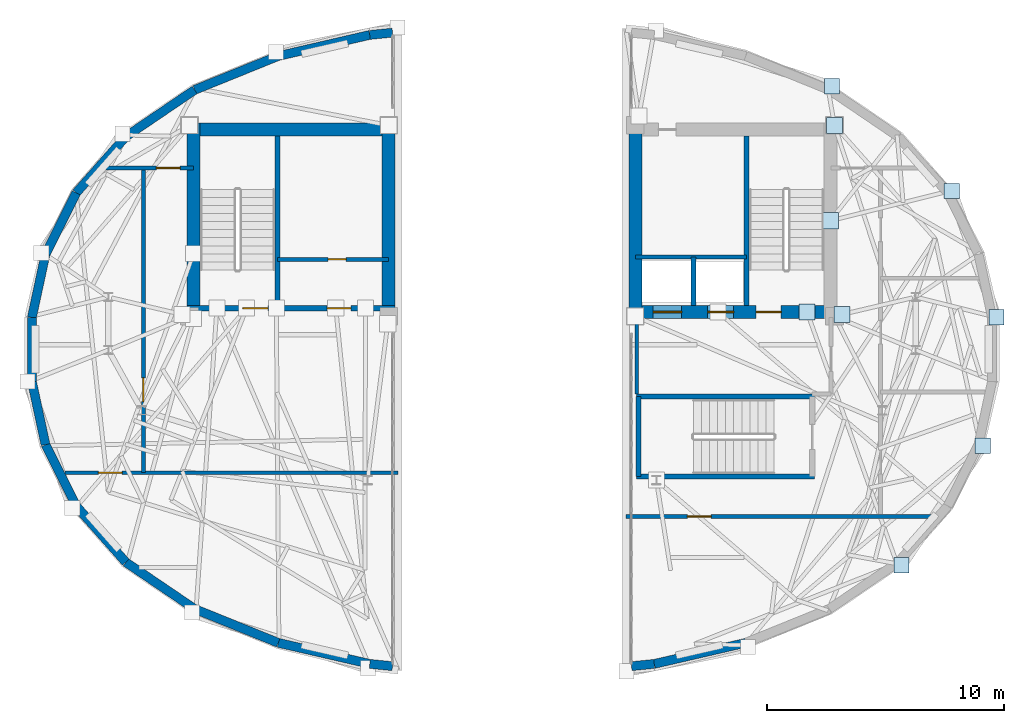
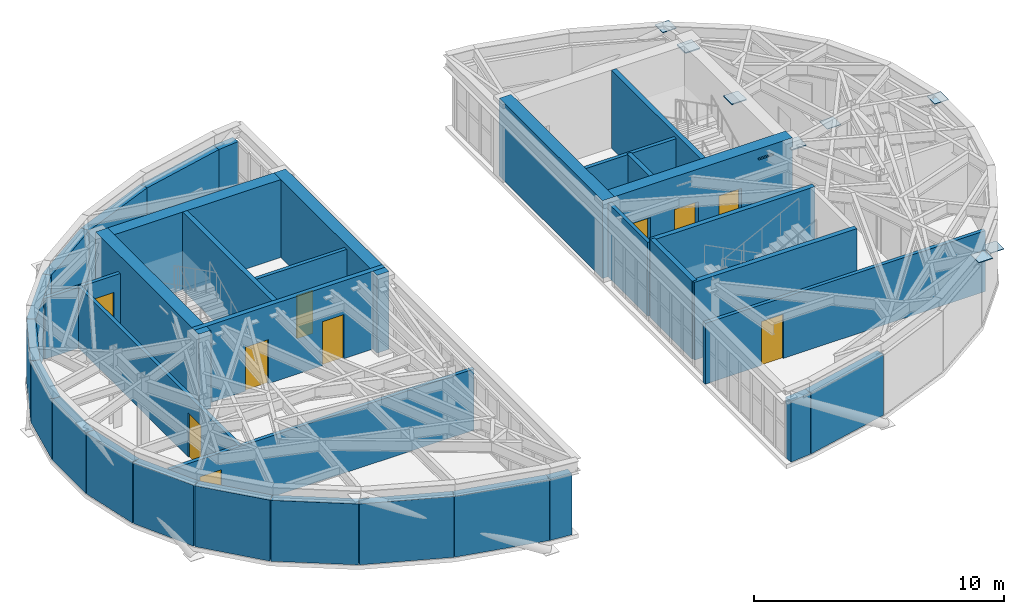
# One storey, part 9 of 13: 36 walls, 10 doors, 9 plates, 10 openings.
"""IFC4 building model written with IfcOpenShell, lengths in metres."""

from ifc_helpers import new_model, si_unit, direction, frame, frame_2d, origin, origin_2d, place, context, subcontext, project, spatial, rectangle, extrude, material, layer, layer_set, type_object, element, fill, save


model = new_model("IFC4")

# Units and contexts
model_context = context("Model", 3, precision=1e-05, world=origin(), true_north=direction((0.0, 1.0)))
body_context = subcontext(model_context, "Body", "Model", "MODEL_VIEW")
ifc_project = project(units=[si_unit("LENGTHUNIT", "METRE"), si_unit("AREAUNIT", "SQUARE_METRE"), si_unit("VOLUMEUNIT", "CUBIC_METRE"), si_unit("PLANEANGLEUNIT", "RADIAN"), si_unit("MASSUNIT", "GRAM", prefix="KILO")], contexts=[model_context])

# Site, building, storey
site_placement = place(None, origin())
site = spatial("IfcSite", under=ifc_project, at=site_placement, CompositionType="ELEMENT")
building_placement = place(site_placement, origin())
building = spatial("IfcBuilding", under=site, at=building_placement, Name="Keldmark Tower", CompositionType="ELEMENT")
storey_placement = place(building_placement, frame((0.0, 0.0, 276.800048828125)))
storey = spatial("IfcBuildingStorey", under=building, at=storey_placement, Name="L78", CompositionType="ELEMENT", Elevation=276.800048828125)

# Plates
ifc_material_1 = material(Name="Steel ASTM A572 Grade 50", Category="steel")
ifc_layer_1 = layer(ifc_material_1, 0.06005859375)
ifc_layer_set_1 = layer_set([ifc_layer_1], Name="Steel ASTM A572 Grade 50")
plate_type_1 = type_object("IfcPlateType", Name="Belt Truss Kink Node Assembly KN01 60 mm", PredefinedType="USERDEFINED", material=ifc_layer_set_1)
for number, where, z_axis, x_axis, name in (
    (1, (13.91162109375, 1.473388671875, 3.30810546875), (0.0, 0.0, 1.0), (1.0, 0.0, 0.0), "L78 Core Wall Cast-In Embed Plate 2217"),
    (2, (13.60009765625, 9.449951171875, 3.30810546875), (0.0, 0.0, 1.0), (1.0, 0.0, 0.0), "L78 Core Wall Cast-In Embed Plate 2221"),
    (3, (12.4462890625, 1.574951171875, 3.30810546875), (0.0, 0.0, 1.0), (1.0, 0.0, 0.0), "L78 Core Wall Cast-In Embed Plate 2223"),
    (4, (13.425048828125, 5.425048828125, 3.30810546875), (0.0, 0.0, 1.0), (1.0, 0.0, 0.0), "L78 Core Wall Cast-In Embed Plate 2224"),
):
    element("IfcPlate", number, at=place(storey_placement, frame(where, z_axis=z_axis, x_axis=x_axis)), inside=storey, type_object=plate_type_1, Name=name, ObjectType="CAP PLATE", PredefinedType="USERDEFINED", context=body_context, shape_type="SweptSolid", body=[
        extrude(rectangle(XDim=0.679931640625, YDim=0.679931640625, at=origin_2d()), origin(), (0.0, 0.0, 1.0), 0.054931640625),
    ])
ifc_material_2 = material(Name="Steel ASTM A572 Grade 50", Category="steel")
ifc_layer_2 = layer(ifc_material_2, 0.030029296875)
ifc_layer_set_2 = layer_set([ifc_layer_2], Name="Steel ASTM A572 Grade 50")
plate_type_2 = type_object("IfcPlateType", Name="Crown Frame End Cap Plate CP01 30 mm", PredefinedType="SHEET", material=ifc_layer_set_2)
for number, where, z_axis, x_axis, name in (
    (5, (13.5, 11.097900390625, 3.3349609375), (0.0, 0.0, 1.0), (1.0, 0.0, 0.0), "L78 Crown Frame Node Cap E00-1"),
    (6, (18.544921875, 6.688232421875, -0.46484375), (0.0, 0.0, 1.0), (1.0, 0.0, 0.0), "L78 Crown Frame Node Cap E04-0"),
    (7, (20.43017578125, 1.35693359375, 3.3349609375), (0.0, 0.0, 1.0), (1.0, 0.0, 0.0), "L78 Crown Frame Node Cap E04-1"),
    (8, (19.853271484375, -4.0625, -0.46484375), (0.0, 0.0, 1.0), (1.0, 0.0, 0.0), "L78 Crown Frame Node Cap E08-0"),
    (9, (16.431396484375, -9.099365234375, 3.3349609375), (0.0, 0.0, 1.0), (1.0, 0.0, 0.0), "L78 Crown Frame Node Cap E08-1"),
):
    element("IfcPlate", number, at=place(storey_placement, frame(where, z_axis=z_axis, x_axis=x_axis)), inside=storey, type_object=plate_type_2, Name=name, PredefinedType="SHEET", context=body_context, shape_type="SweptSolid", body=[
        extrude(rectangle(XDim=0.639892578125, YDim=0.639892578125, at=origin_2d()), origin(), (0.0, 0.0, 1.0), 0.030029296875),
    ])

# Walls
ifc_material_3 = material(Name="Kasota Buff Limestone Ashlar Masonry", Category="masonry")
ifc_layer_3 = layer(ifc_material_3, 0.3798828125)
ifc_layer_set_3 = layer_set([ifc_layer_3], Name="Kasota Buff Limestone Ashlar Masonry")
wall_type_1 = type_object("IfcWallType", Name="Crown Kasota Limestone Screen Wall 380 mm", PredefinedType="ELEMENTEDWALL", material=ifc_layer_set_3)
wall_1_placement = place(storey_placement, frame((5.998779296875, -13.263916015625, 0.0), z_axis=(0.0, 0.0, 1.0), x_axis=(0.974441030185, 0.224643447918, 0.0)))
element("IfcWall", 10, at=wall_1_placement, inside=storey, type_object=wall_type_1, Name="L78 Crown Limestone Enclosure Wall E13", PredefinedType="ELEMENTEDWALL", context=body_context, shape_type="SweptSolid", body=[
    extrude(rectangle(XDim=3.96142578125, YDim=0.3798828125, at=frame_2d((1.980712890625, 0.0))), origin(), (0.0, 0.0, 1.0), 2.969970703125),
])
wall_2_placement = place(storey_placement, frame((5.0400390625, -13.358642578125, 0.0), z_axis=(0.0, 0.0, 1.0), x_axis=(0.995154416473, 0.098324398674, 0.0)))
element("IfcWall", 11, at=wall_2_placement, inside=storey, type_object=wall_type_1, Name="L78 Crown Limestone Enclosure Wall E14", PredefinedType="ELEMENTEDWALL", context=body_context, shape_type="SweptSolid", body=[
    extrude(rectangle(XDim=0.96337890625, YDim=0.3798828125, at=frame_2d((0.481689453125, 0.0))), origin(), (0.0, 0.0, 1.0), 2.969970703125),
])
wall_3_placement = place(storey_placement, frame((-9.85888671875, -12.3740234375, 0.0), z_axis=(0.0, 0.0, 1.0), x_axis=(0.974441030185, -0.224643447918, 0.0)))
element("IfcWall", 12, at=wall_3_placement, inside=storey, type_object=wall_type_1, Name="L78 Crown Limestone Enclosure Wall W01", PredefinedType="ELEMENTEDWALL", context=body_context, shape_type="SweptSolid", body=[
    extrude(rectangle(XDim=3.96142578125, YDim=0.3798828125, at=frame_2d((1.980712890625, 0.0))), origin(), (0.0, 0.0, 1.0), 2.969970703125),
])
wall_4_placement = place(storey_placement, frame((-13.38525390625, -10.94482421875, 0.0), z_axis=(0.0, 0.0, 1.0), x_axis=(0.926776699004, -0.375612766268, 0.0)))
element("IfcWall", 13, at=wall_4_placement, inside=storey, type_object=wall_type_1, Name="L78 Crown Limestone Enclosure Wall W02", PredefinedType="ELEMENTEDWALL", context=body_context, shape_type="SweptSolid", body=[
    extrude(rectangle(XDim=3.804931640625, YDim=0.3798828125, at=frame_2d((1.90234375, 0.0))), origin(), (0.0, 0.0, 1.0), 2.969970703125),
])
wall_5_placement = place(storey_placement, frame((-16.28857421875, -8.975341796875, 0.0), z_axis=(0.0, 0.0, 1.0), x_axis=(0.827558908117, -0.561378885955, 0.0)))
element("IfcWall", 14, at=wall_5_placement, inside=storey, type_object=wall_type_1, Name="L78 Crown Limestone Enclosure Wall W03", PredefinedType="ELEMENTEDWALL", context=body_context, shape_type="SweptSolid", body=[
    extrude(rectangle(XDim=3.50830078125, YDim=0.3798828125, at=frame_2d((1.754150390625, 0.0))), origin(), (0.0, 0.0, 1.0), 2.969970703125),
])
wall_6_placement = place(storey_placement, frame((-18.37939453125, -6.6015625, 0.0), z_axis=(0.0, 0.0, 1.0), x_axis=(0.660965358004, -0.750416414745, 0.0)))
element("IfcWall", 15, at=wall_6_placement, inside=storey, type_object=wall_type_1, Name="L78 Crown Limestone Enclosure Wall W04", PredefinedType="ELEMENTEDWALL", context=body_context, shape_type="SweptSolid", body=[
    extrude(rectangle(XDim=3.163330078125, YDim=0.3798828125, at=frame_2d((1.58154296875, 0.0))), origin(), (0.0, 0.0, 1.0), 2.969970703125),
])
wall_7_placement = place(storey_placement, frame((-19.675048828125, -4.015380859375, 0.0), z_axis=(0.0, 0.0, 1.0), x_axis=(0.447922433418, -0.894072420803, 0.0)))
element("IfcWall", 16, at=wall_7_placement, inside=storey, type_object=wall_type_1, Name="L78 Crown Limestone Enclosure Wall W05", PredefinedType="ELEMENTEDWALL", context=body_context, shape_type="SweptSolid", body=[
    extrude(rectangle(XDim=2.892578125, YDim=0.3798828125, at=frame_2d((1.4462890625, 0.0))), origin(), (0.0, 0.0, 1.0), 2.969970703125),
])
wall_8_placement = place(storey_placement, frame((-20.2490234375, -1.343505859375, 0.0), z_axis=(0.0, 0.0, 1.0), x_axis=(0.210029343878, -0.977695082687, 0.0)))
element("IfcWall", 17, at=wall_8_placement, inside=storey, type_object=wall_type_1, Name="L78 Crown Limestone Enclosure Wall W06", PredefinedType="ELEMENTEDWALL", context=body_context, shape_type="SweptSolid", body=[
    extrude(rectangle(XDim=2.73291015625, YDim=0.3798828125, at=frame_2d((1.366455078125, 0.0))), origin(), (0.0, 0.0, 1.0), 2.969970703125),
])
wall_9_placement = place(storey_placement, frame((-20.2490234375, 1.343505859375, 0.0), z_axis=(0.0, 0.0, 1.0), x_axis=(0.0, -1.0, 0.0)))
element("IfcWall", 18, at=wall_9_placement, inside=storey, type_object=wall_type_1, Name="L78 Crown Limestone Enclosure Wall W07", PredefinedType="ELEMENTEDWALL", context=body_context, shape_type="SweptSolid", body=[
    extrude(rectangle(XDim=2.68701171875, YDim=0.3798828125, at=frame_2d((1.343505859375, 0.0))), origin(), (0.0, 0.0, 1.0), 2.969970703125),
])
wall_10_placement = place(storey_placement, frame((-19.675048828125, 4.015380859375, 0.0), z_axis=(0.0, 0.0, 1.0), x_axis=(-0.210029343878, -0.977695082687, 0.0)))
element("IfcWall", 19, at=wall_10_placement, inside=storey, type_object=wall_type_1, Name="L78 Crown Limestone Enclosure Wall W08", PredefinedType="ELEMENTEDWALL", context=body_context, shape_type="SweptSolid", body=[
    extrude(rectangle(XDim=2.73291015625, YDim=0.3798828125, at=frame_2d((1.366455078125, 0.0))), origin(), (0.0, 0.0, 1.0), 2.969970703125),
])
wall_11_placement = place(storey_placement, frame((-18.37939453125, 6.6015625, 0.0), z_axis=(0.0, 0.0, 1.0), x_axis=(-0.447922433418, -0.894072420803, 0.0)))
element("IfcWall", 20, at=wall_11_placement, inside=storey, type_object=wall_type_1, Name="L78 Crown Limestone Enclosure Wall W09", PredefinedType="ELEMENTEDWALL", context=body_context, shape_type="SweptSolid", body=[
    extrude(rectangle(XDim=2.892578125, YDim=0.3798828125, at=frame_2d((1.4462890625, 0.0))), origin(), (0.0, 0.0, 1.0), 2.969970703125),
])
wall_12_placement = place(storey_placement, frame((-16.28857421875, 8.975341796875, 0.0), z_axis=(0.0, 0.0, 1.0), x_axis=(-0.660965358004, -0.750416414745, 0.0)))
element("IfcWall", 21, at=wall_12_placement, inside=storey, type_object=wall_type_1, Name="L78 Crown Limestone Enclosure Wall W10", PredefinedType="ELEMENTEDWALL", context=body_context, shape_type="SweptSolid", body=[
    extrude(rectangle(XDim=3.163330078125, YDim=0.3798828125, at=frame_2d((1.58154296875, 0.0))), origin(), (0.0, 0.0, 1.0), 2.969970703125),
])
wall_13_placement = place(storey_placement, frame((-13.38525390625, 10.94482421875, 0.0), z_axis=(0.0, 0.0, 1.0), x_axis=(-0.827558908117, -0.561378885955, 0.0)))
element("IfcWall", 22, at=wall_13_placement, inside=storey, type_object=wall_type_1, Name="L78 Crown Limestone Enclosure Wall W11", PredefinedType="ELEMENTEDWALL", context=body_context, shape_type="SweptSolid", body=[
    extrude(rectangle(XDim=3.50830078125, YDim=0.3798828125, at=frame_2d((1.754150390625, 0.0))), origin(), (0.0, 0.0, 1.0), 2.969970703125),
])
wall_14_placement = place(storey_placement, frame((-9.85888671875, 12.3740234375, 0.0), z_axis=(0.0, 0.0, 1.0), x_axis=(-0.926776699004, -0.375612766268, 0.0)))
element("IfcWall", 23, at=wall_14_placement, inside=storey, type_object=wall_type_1, Name="L78 Crown Limestone Enclosure Wall W12", PredefinedType="ELEMENTEDWALL", context=body_context, shape_type="SweptSolid", body=[
    extrude(rectangle(XDim=3.804931640625, YDim=0.3798828125, at=frame_2d((1.90234375, 0.0))), origin(), (0.0, 0.0, 1.0), 2.969970703125),
])
wall_15_placement = place(storey_placement, frame((-5.998779296875, 13.263916015625, 0.0), z_axis=(0.0, 0.0, 1.0), x_axis=(-0.974441030185, -0.224643447918, 0.0)))
element("IfcWall", 24, at=wall_15_placement, inside=storey, type_object=wall_type_1, Name="L78 Crown Limestone Enclosure Wall W13", PredefinedType="ELEMENTEDWALL", context=body_context, shape_type="SweptSolid", body=[
    extrude(rectangle(XDim=3.96142578125, YDim=0.3798828125, at=frame_2d((1.980712890625, 0.0))), origin(), (0.0, 0.0, 1.0), 2.969970703125),
])
for number, where, z_axis, x_axis, name in (
    (25, (-5.0400390625, 13.358642578125, 0.0), (0.0, 0.0, 1.0), (-0.995154416473, -0.098324398674, 0.0), "L78 Crown Limestone Enclosure Wall W14"),
    (26, (-5.998779296875, -13.263916015625, 0.0), (0.0, 0.0, 1.0), (0.995154416473, -0.098324398674, 0.0), "L78 Crown Limestone Enclosure Wall W16"),
):
    element("IfcWall", number, at=place(storey_placement, frame(where, z_axis=z_axis, x_axis=x_axis)), inside=storey, type_object=wall_type_1, Name=name, PredefinedType="ELEMENTEDWALL", context=body_context, shape_type="SweptSolid", body=[
        extrude(rectangle(XDim=0.96337890625, YDim=0.3798828125, at=frame_2d((0.481689453125, 0.0))), origin(), (0.0, 0.0, 1.0), 2.969970703125),
    ])
ifc_material_4 = material(Name="Concrete C50/60", Category="concrete")
ifc_layer_4 = layer(ifc_material_4, 0.550048828125)
ifc_layer_set_4 = layer_set([ifc_layer_4], Name="Concrete C50/60")
wall_type_2 = type_object("IfcWallType", Name="High-Rise Core Shear Wall 550 mm", PredefinedType="SHEAR", material=ifc_layer_set_4)
wall_16_placement = place(storey_placement, frame((-13.425048828125, 1.300048828125, 0.0), z_axis=(0.0, 0.0, 1.0), x_axis=(0.0, 1.0, 0.0)))
element("IfcWall", 27, at=wall_16_placement, inside=storey, type_object=wall_type_2, Name="L78 West Crown Core West Wall", PredefinedType="SHEAR", context=body_context, shape_type="SweptSolid", body=[
    extrude(rectangle(XDim=8.25, YDim=0.550048828125, at=frame_2d((4.125, 0.0))), origin(), (0.0, 0.0, 1.0), 3.800048828125),
])
wall_17_placement = place(storey_placement, frame((-13.699951171875, 9.27490234375, 0.0), z_axis=(0.0, 0.0, 1.0), x_axis=(1.0, 0.0, 0.0)))
element("IfcWall", 28, at=wall_17_placement, inside=storey, type_object=wall_type_2, Name="L78 West Crown Core North Wall", PredefinedType="SHEAR", context=body_context, shape_type="SweptSolid", body=[
    extrude(rectangle(XDim=8.77490234375, YDim=0.550048828125, at=frame_2d((4.387451171875, 0.0))), origin(), (0.0, 0.0, 1.0), 3.800048828125),
])
wall_18_placement = place(storey_placement, frame((-5.199951171875, 1.300048828125, 0.0), z_axis=(0.0, 0.0, 1.0), x_axis=(0.0, 1.0, 0.0)))
element("IfcWall", 29, at=wall_18_placement, inside=storey, type_object=wall_type_2, Name="L78 West Crown Core Slot Wall", PredefinedType="SHEAR", context=body_context, shape_type="SweptSolid", body=[
    extrude(rectangle(XDim=8.25, YDim=0.550048828125, at=frame_2d((4.125, 0.0))), origin(), (0.0, 0.0, 1.0), 3.800048828125),
])

# Wall, openings, doors
wall_19_placement = place(storey_placement, frame((13.699951171875, 1.574951171875, 0.0), z_axis=(0.0, 0.0, 1.0), x_axis=(-1.0, 0.0, 0.0)))
wall_19 = element("IfcWall", 30, at=wall_19_placement, inside=storey, type_object=wall_type_2, Name="L78 East Crown Core South Wall", PredefinedType="SHEAR", context=body_context, shape_type="SweptSolid", body=[
    extrude(rectangle(XDim=8.77490234375, YDim=0.550048828125, at=frame_2d((4.387451171875, 0.0))), origin(), (0.0, 0.0, 1.0), 3.800048828125),
])
opening_1_placement = place(wall_19_placement, frame((2.35009765625, 0.0, 0.0)))
opening_1 = element("IfcOpeningElement", 31, at=opening_1_placement, cuts=wall_19, Name="Opening D-ST105", PredefinedType="OPENING", context=body_context, shape_type="SweptSolid", body=[
    extrude(rectangle(XDim=1.050048828125, YDim=2.14990234375, at=frame_2d((0.52490234375, 1.074951171875))), frame((0.0, 0.284912109375, 0.0), z_axis=(0.0, -1.0, 0.0), x_axis=(1.0, 0.0, 0.0)), (0.0, 0.0, 1.0), 0.570068359375),
])
opening_2_placement = place(wall_19_placement, frame((6.550048828125, 0.0, 0.0)))
opening_2 = element("IfcOpeningElement", 32, at=opening_2_placement, cuts=wall_19, Name="Opening LD-120", PredefinedType="OPENING", context=body_context, shape_type="SweptSolid", body=[
    extrude(rectangle(XDim=1.199951171875, YDim=2.199951171875, at=frame_2d((0.60009765625, 1.10009765625))), frame((0.0, 0.284912109375, 0.0), z_axis=(0.0, -1.0, 0.0), x_axis=(1.0, 0.0, 0.0)), (0.0, 0.0, 1.0), 0.570068359375),
])
opening_3_placement = place(wall_19_placement, frame((4.35009765625, 0.0, 0.0)))
opening_3 = element("IfcOpeningElement", 33, at=opening_3_placement, cuts=wall_19, Name="Opening LD-110", PredefinedType="OPENING", context=body_context, shape_type="SweptSolid", body=[
    extrude(rectangle(XDim=1.10009765625, YDim=2.199951171875, at=frame_2d((0.550048828125, 1.10009765625))), frame((0.0, 0.284912109375, 0.0), z_axis=(0.0, -1.0, 0.0), x_axis=(1.0, 0.0, 0.0)), (0.0, 0.0, 1.0), 0.570068359375),
])
ifc_material_5 = material(Name="Brushed Bronze Hoistway Sliding Leaf", Category="metal")
door_type_1 = type_object("IfcDoorType", Name="Lift Landing Sliding Door 1100x2200", OperationType="SLIDING_TO_LEFT", PredefinedType="DOOR", material=ifc_material_5)
door_1_placement = place(opening_3_placement, origin())
door_1 = element("IfcDoor", 34, at=door_1_placement, inside=storey, type_object=door_type_1, Name="L78 Lift Landing Sliding Door 1100x2200 LD-EL-FS2-L78", OperationType="SLIDING_TO_LEFT", OverallHeight=2.199951171875, OverallWidth=1.10009765625, PredefinedType="DOOR", context=body_context, shape_type="SweptSolid", body=[
    extrude(rectangle(XDim=1.10009765625, YDim=2.199951171875, at=frame_2d((0.550048828125, 1.10009765625))), frame((0.0, 0.02490234375, 0.0), z_axis=(0.0, -1.0, 0.0), x_axis=(1.0, 0.0, 0.0)), (0.0, 0.0, 1.0), 0.050048828125),
])
fill(opening_3, door_1)
ifc_material_6 = material(Name="Heavy-Duty Brushed Metal Hoistway Sliding Leaf", Category="metal")
door_type_2 = type_object("IfcDoorType", Name="Service Lift Sliding Door 1200x2200", OperationType="SLIDING_TO_RIGHT", PredefinedType="DOOR", material=ifc_material_6)
door_2_placement = place(opening_2_placement, origin())
door_2 = element("IfcDoor", 35, at=door_2_placement, inside=storey, type_object=door_type_2, Name="L78 Service Lift Sliding Door 1200x2200 LD-EL-SV1-L78", OperationType="SLIDING_TO_RIGHT", OverallHeight=2.199951171875, OverallWidth=1.199951171875, PredefinedType="DOOR", context=body_context, shape_type="SweptSolid", body=[
    extrude(rectangle(XDim=1.199951171875, YDim=2.199951171875, at=frame_2d((0.60009765625, 1.10009765625))), frame((0.0, 0.02490234375, 0.0), z_axis=(0.0, -1.0, 0.0), x_axis=(1.0, 0.0, 0.0)), (0.0, 0.0, 1.0), 0.050048828125),
])
fill(opening_2, door_2)
ifc_material_7 = material(Name="Hollow Metal Fire-Rated Door Assembly", Category="metal")
door_type_3 = type_object("IfcDoorType", Name="Stair Fire Door 1050x2150", OperationType="NOTDEFINED", PredefinedType="DOOR", material=ifc_material_7)
door_3_placement = place(opening_1_placement, origin())
door_3 = element("IfcDoor", 36, at=door_3_placement, inside=storey, type_object=door_type_3, Name="L78 Stair Fire Door 1050x2150 D-ST2-L78", OperationType="SINGLE_SWING_LEFT", OverallHeight=2.14990234375, OverallWidth=1.050048828125, PredefinedType="DOOR", context=body_context, shape_type="SweptSolid", body=[
    extrude(rectangle(XDim=1.050048828125, YDim=2.14990234375, at=frame_2d((0.52490234375, 1.074951171875))), frame((0.0, 0.02490234375, 0.0), z_axis=(0.0, -1.0, 0.0), x_axis=(1.0, 0.0, 0.0)), (0.0, 0.0, 1.0), 0.050048828125),
])
fill(opening_1, door_3)

# Wall
wall_20_placement = place(storey_placement, frame((5.199951171875, 1.300048828125, 0.0), z_axis=(0.0, 0.0, 1.0), x_axis=(0.0, 1.0, 0.0)))
element("IfcWall", 37, at=wall_20_placement, inside=storey, type_object=wall_type_2, Name="L78 East Crown Core Slot Wall", PredefinedType="SHEAR", context=body_context, shape_type="SweptSolid", body=[
    extrude(rectangle(XDim=8.25, YDim=0.550048828125, at=frame_2d((4.125, 0.0))), origin(), (0.0, 0.0, 1.0), 3.800048828125),
])

# Wall, opening, door
ifc_material_8 = material(Name="Type X Fire-Rated Gypsum Partition Assembly", Category="gypsum")
ifc_layer_5 = layer(ifc_material_8, 0.1650390625)
ifc_layer_set_5 = layer_set([ifc_layer_5], Name="Type X Fire-Rated Gypsum Partition Assembly")
wall_type_3 = type_object("IfcWallType", Name="Rated Partition 165 mm", PredefinedType="PARTITIONING", material=ifc_layer_set_5)
wall_21_placement = place(storey_placement, frame((-5.199951171875, 3.800048828125, 0.0), z_axis=(0.0, 0.0, 1.0), x_axis=(-1.0, 0.0, 0.0)))
wall_21 = element("IfcWall", 38, at=wall_21_placement, inside=storey, type_object=wall_type_3, Name="L78 Rated Partition 165 mm WC-LOB-E", PredefinedType="PARTITIONING", context=body_context, shape_type="SweptSolid", body=[
    extrude(rectangle(XDim=4.68994140625, YDim=0.1650390625, at=frame_2d((2.344970703125, 0.0))), origin(), (0.0, 0.0, 1.0), 3.599853515625),
])
opening_4_placement = place(wall_21_placement, frame((1.800048828125, 0.0, 0.0)))
opening_4 = element("IfcOpeningElement", 39, at=opening_4_placement, cuts=wall_21, Name="Opening D-RS075", PredefinedType="OPENING", context=body_context, shape_type="SweptSolid", body=[
    extrude(rectangle(XDim=0.75, YDim=2.10009765625, at=frame_2d((0.375, 1.050048828125))), frame((0.0, 0.092529296875, 0.0), z_axis=(0.0, -1.0, 0.0), x_axis=(1.0, 0.0, 0.0)), (0.0, 0.0, 1.0), 0.18505859375),
])
ifc_material_9 = material(Name="Galvanized Fire-Rated Access Leaf", Category="metal")
door_type_4 = type_object("IfcDoorType", Name="Riser Access Door 750x2100", OperationType="NOTDEFINED", PredefinedType="DOOR", material=ifc_material_9)
door_4_placement = place(opening_4_placement, origin())
door_4 = element("IfcDoor", 40, at=door_4_placement, inside=storey, type_object=door_type_4, Name="L78 Riser Access Door 750x2100 D-WC-RIS-L78", OperationType="SINGLE_SWING_RIGHT", OverallHeight=2.10009765625, OverallWidth=0.75, PredefinedType="DOOR", context=body_context, shape_type="SweptSolid", body=[
    extrude(rectangle(XDim=0.75, YDim=2.10009765625, at=frame_2d((0.375, 1.050048828125))), frame((0.0, 0.02490234375, 0.0), z_axis=(0.0, -1.0, 0.0), x_axis=(1.0, 0.0, 0.0)), (0.0, 0.0, 1.0), 0.050048828125),
])
fill(opening_4, door_4)

# Walls
wall_22_placement = place(storey_placement, frame((5.199951171875, 3.89990234375, 0.0), z_axis=(0.0, 0.0, 1.0), x_axis=(1.0, 0.0, 0.0)))
element("IfcWall", 41, at=wall_22_placement, inside=storey, type_object=wall_type_3, Name="L78 Rated Partition 165 mm EC-SV-N", PredefinedType="PARTITIONING", context=body_context, shape_type="SweptSolid", body=[
    extrude(rectangle(XDim=4.68994140625, YDim=0.1650390625, at=frame_2d((2.344970703125, 0.0))), origin(), (0.0, 0.0, 1.0), 3.599853515625),
])
wall_23_placement = place(storey_placement, frame((5.260009765625, -1.8798828125, 0.0), z_axis=(0.0, 0.0, 1.0), x_axis=(0.0, 1.0, 0.0)))
element("IfcWall", 42, at=wall_23_placement, inside=storey, type_object=wall_type_3, Name="L78 Rated Partition 165 mm EC-FSAE-W", PredefinedType="PARTITIONING", context=body_context, shape_type="SweptSolid", body=[
    extrude(rectangle(XDim=3.22998046875, YDim=0.1650390625, at=frame_2d((1.614990234375, 0.0))), origin(), (0.0, 0.0, 1.0), 3.599853515625),
])

# Wall, opening, door
wall_24_placement = place(storey_placement, frame((4.800048828125, -7.050048828125, 0.0), z_axis=(0.0, 0.0, 1.0), x_axis=(1.0, 0.0, 0.0)))
wall_24 = element("IfcWall", 43, at=wall_24_placement, inside=storey, type_object=wall_type_3, Name="L78 Rated Partition 165 mm EC-SCOR-S", PredefinedType="PARTITIONING", context=body_context, shape_type="SweptSolid", body=[
    extrude(rectangle(XDim=12.92041015625, YDim=0.1650390625, at=frame_2d((6.460205078125, 0.0))), origin(), (0.0, 0.0, 1.0), 2.968017578125),
])
opening_5_placement = place(wall_24_placement, frame((2.60009765625, 0.0, 0.0)))
opening_5 = element("IfcOpeningElement", 44, at=opening_5_placement, cuts=wall_24, Name="Opening D-FD100", PredefinedType="OPENING", context=body_context, shape_type="SweptSolid", body=[
    extrude(rectangle(XDim=1.0, YDim=2.14990234375, at=frame_2d((0.5, 1.074951171875))), frame((0.0, 0.092529296875, 0.0), z_axis=(0.0, -1.0, 0.0), x_axis=(1.0, 0.0, 0.0)), (0.0, 0.0, 1.0), 0.18505859375),
])
ifc_material_10 = material(Name="Hollow Metal Fire-Rated Corridor Door", Category="metal")
door_type_5 = type_object("IfcDoorType", Name="Fire Door 1000x2150", OperationType="NOTDEFINED", PredefinedType="DOOR", material=ifc_material_10)
door_5_placement = place(opening_5_placement, origin())
door_5 = element("IfcDoor", 45, at=door_5_placement, inside=storey, type_object=door_type_5, Name="L78 Fire Door 1000x2150 D-ECPS-L78", OperationType="SINGLE_SWING_RIGHT", OverallHeight=2.14990234375, OverallWidth=1.0, PredefinedType="DOOR", context=body_context, shape_type="SweptSolid", body=[
    extrude(rectangle(XDim=1.0, YDim=2.14990234375, at=frame_2d((0.5, 1.074951171875))), frame((0.0, 0.02490234375, 0.0), z_axis=(0.0, -1.0, 0.0), x_axis=(1.0, 0.0, 0.0)), (0.0, 0.0, 1.0), 0.050048828125),
])
fill(opening_5, door_5)

wall_25_placement = place(storey_placement, frame((-18.860107421875, -5.199951171875, 0.0), z_axis=(0.0, 0.0, 1.0), x_axis=(1.0, 0.0, 0.0)))
wall_25 = element("IfcWall", 46, at=wall_25_placement, inside=storey, type_object=wall_type_3, Name="L78 Rated Partition 165 mm WC-SCOR", PredefinedType="PARTITIONING", context=body_context, shape_type="SweptSolid", body=[
    extrude(rectangle(XDim=14.06005859375, YDim=0.1650390625, at=frame_2d((7.030029296875, 0.0))), origin(), (0.0, 0.0, 1.0), 2.987060546875),
])
opening_6_placement = place(wall_25_placement, frame((1.4140625, 0.0, 0.0)))
opening_6 = element("IfcOpeningElement", 47, at=opening_6_placement, cuts=wall_25, Name="Opening D-FD100", PredefinedType="OPENING", context=body_context, shape_type="SweptSolid", body=[
    extrude(rectangle(XDim=1.0, YDim=2.14990234375, at=frame_2d((0.5, 1.074951171875))), frame((0.0, 0.092529296875, 0.0), z_axis=(0.0, -1.0, 0.0), x_axis=(1.0, 0.0, 0.0)), (0.0, 0.0, 1.0), 0.18505859375),
])
door_6_placement = place(opening_6_placement, origin())
door_6 = element("IfcDoor", 48, at=door_6_placement, inside=storey, type_object=door_type_5, Name="L78 Fire Door 1000x2150 D-WCPS-L78", OperationType="SINGLE_SWING_LEFT", OverallHeight=2.14990234375, OverallWidth=1.0, PredefinedType="DOOR", context=body_context, shape_type="SweptSolid", body=[
    extrude(rectangle(XDim=1.0, YDim=2.14990234375, at=frame_2d((0.5, 1.074951171875))), frame((0.0, 0.02490234375, 0.0), z_axis=(0.0, -1.0, 0.0), x_axis=(1.0, 0.0, 0.0)), (0.0, 0.0, 1.0), 0.050048828125),
])
fill(opening_6, door_6)

wall_26_placement = place(storey_placement, frame((-15.550048828125, -5.199951171875, 0.0), z_axis=(0.0, 0.0, 1.0), x_axis=(0.0, 1.0, 0.0)))
wall_26 = element("IfcWall", 49, at=wall_26_placement, inside=storey, type_object=wall_type_3, Name="L78 Rated Partition 165 mm WC-WCOR", PredefinedType="PARTITIONING", context=body_context, shape_type="SweptSolid", body=[
    extrude(rectangle(XDim=12.849853515625, YDim=0.1650390625, at=frame_2d((6.4248046875, 0.0))), origin(), (0.0, 0.0, 1.0), 2.987060546875),
])
opening_7_placement = place(wall_26_placement, frame((3.0, 0.0, 0.0)))
opening_7 = element("IfcOpeningElement", 50, at=opening_7_placement, cuts=wall_26, Name="Opening D-FD100", PredefinedType="OPENING", context=body_context, shape_type="SweptSolid", body=[
    extrude(rectangle(XDim=1.0, YDim=2.14990234375, at=frame_2d((0.5, 1.074951171875))), frame((0.0, 0.092529296875, 0.0), z_axis=(0.0, -1.0, 0.0), x_axis=(1.0, 0.0, 0.0)), (0.0, 0.0, 1.0), 0.18505859375),
])
door_7_placement = place(opening_7_placement, origin())
door_7 = element("IfcDoor", 51, at=door_7_placement, inside=storey, type_object=door_type_5, Name="L78 Fire Door 1000x2150 D-WCPW-L78", OperationType="SINGLE_SWING_RIGHT", OverallHeight=2.14990234375, OverallWidth=1.0, PredefinedType="DOOR", context=body_context, shape_type="SweptSolid", body=[
    extrude(rectangle(XDim=1.0, YDim=2.14990234375, at=frame_2d((0.5, 1.074951171875))), frame((0.0, 0.02490234375, 0.0), z_axis=(0.0, -1.0, 0.0), x_axis=(1.0, 0.0, 0.0)), (0.0, 0.0, 1.0), 0.050048828125),
])
fill(opening_7, door_7)

wall_27_placement = place(storey_placement, frame((-17.19189453125, 7.64990234375, 0.0), z_axis=(0.0, 0.0, 1.0), x_axis=(1.0, 0.0, 0.0)))
wall_27 = element("IfcWall", 52, at=wall_27_placement, inside=storey, type_object=wall_type_3, Name="L78 Rated Partition 165 mm WC-NCAP", PredefinedType="PARTITIONING", context=body_context, shape_type="SweptSolid", body=[
    extrude(rectangle(XDim=3.766845703125, YDim=0.1650390625, at=frame_2d((1.88330078125, 0.0))), origin(), (0.0, 0.0, 1.0), 2.968017578125),
])
opening_8_placement = place(wall_27_placement, frame((2.192138671875, 0.0, 0.0)))
opening_8 = element("IfcOpeningElement", 53, at=opening_8_placement, cuts=wall_27, Name="Opening D-FD100", PredefinedType="OPENING", context=body_context, shape_type="SweptSolid", body=[
    extrude(rectangle(XDim=1.0, YDim=2.14990234375, at=frame_2d((0.5, 1.074951171875))), frame((0.0, 0.092529296875, 0.0), z_axis=(0.0, -1.0, 0.0), x_axis=(1.0, 0.0, 0.0)), (0.0, 0.0, 1.0), 0.18505859375),
])
door_8_placement = place(opening_8_placement, origin())
door_8 = element("IfcDoor", 54, at=door_8_placement, inside=storey, type_object=door_type_5, Name="L78 Fire Door 1000x2150 D-WCPN-L78", OperationType="SINGLE_SWING_LEFT", OverallHeight=2.14990234375, OverallWidth=1.0, PredefinedType="DOOR", context=body_context, shape_type="SweptSolid", body=[
    extrude(rectangle(XDim=1.0, YDim=2.14990234375, at=frame_2d((0.5, 1.074951171875))), frame((0.0, 0.02490234375, 0.0), z_axis=(0.0, -1.0, 0.0), x_axis=(1.0, 0.0, 0.0)), (0.0, 0.0, 1.0), 0.050048828125),
])
fill(opening_8, door_8)

# Wall
ifc_material_11 = material(Name="Fire-Resistant Type X Gypsum Shaftliner Coreboard", Category="gypsum")
ifc_layer_6 = layer(ifc_material_11, 0.199951171875)
ifc_layer_set_6 = layer_set([ifc_layer_6], Name="Fire-Resistant Type X Gypsum Shaftliner Coreboard")
wall_type_4 = type_object("IfcWallType", Name="Shaft Wall 200 mm", PredefinedType="SOLIDWALL", material=ifc_layer_set_6)
wall_28_placement = place(storey_placement, frame((7.64990234375, 1.85009765625, 0.0), z_axis=(0.0, 0.0, 1.0), x_axis=(0.0, 1.0, 0.0)))
element("IfcWall", 55, at=wall_28_placement, inside=storey, type_object=wall_type_4, Name="L78 Shaft Wall 200 mm EC-DIV", PredefinedType="SOLIDWALL", context=body_context, shape_type="SweptSolid", body=[
    extrude(rectangle(XDim=2.0498046875, YDim=0.199951171875, at=frame_2d((1.02490234375, 0.0))), origin(), (0.0, 0.0, 1.0), 3.599853515625),
])

# Wall, openings, doors
ifc_material_12 = material(Name="Concrete C50/60", Category="concrete")
ifc_layer_7 = layer(ifc_material_12, 0.219970703125)
ifc_layer_set_7 = layer_set([ifc_layer_7], Name="Concrete C50/60")
wall_type_5 = type_object("IfcWallType", Name="Stair Core Shear Wall 220 mm", PredefinedType="SHEAR", material=ifc_layer_set_7)
wall_29_placement = place(storey_placement, frame((-4.925048828125, 1.739990234375, 0.0), z_axis=(0.0, 0.0, 1.0), x_axis=(-1.0, 0.0, 0.0)))
wall_29 = element("IfcWall", 56, at=wall_29_placement, inside=storey, type_object=wall_type_5, Name="L78 West Crown Core South Wall", PredefinedType="SHEAR", context=body_context, shape_type="SweptSolid", body=[
    extrude(rectangle(XDim=8.77490234375, YDim=0.219970703125, at=frame_2d((4.387451171875, 0.0))), origin(), (0.0, 0.0, 1.0), 3.800048828125),
])
opening_9_placement = place(wall_29_placement, frame((5.375, 0.0, 0.0)))
opening_9 = element("IfcOpeningElement", 57, at=opening_9_placement, cuts=wall_29, Name="Opening D-ST105", PredefinedType="OPENING", context=body_context, shape_type="SweptSolid", body=[
    extrude(rectangle(XDim=1.050048828125, YDim=2.14990234375, at=frame_2d((0.52490234375, 1.074951171875))), frame((0.0, 0.119873046875, 0.0), z_axis=(0.0, -1.0, 0.0), x_axis=(1.0, 0.0, 0.0)), (0.0, 0.0, 1.0), 0.239990234375),
])
opening_10_placement = place(wall_29_placement, frame((1.875, 0.0, 0.0)))
opening_10 = element("IfcOpeningElement", 58, at=opening_10_placement, cuts=wall_29, Name="Opening D-FD100", PredefinedType="OPENING", context=body_context, shape_type="SweptSolid", body=[
    extrude(rectangle(XDim=1.0, YDim=2.14990234375, at=frame_2d((0.5, 1.074951171875))), frame((0.0, 0.119873046875, 0.0), z_axis=(0.0, -1.0, 0.0), x_axis=(1.0, 0.0, 0.0)), (0.0, 0.0, 1.0), 0.239990234375),
])
door_9_placement = place(opening_10_placement, origin())
door_9 = element("IfcDoor", 59, at=door_9_placement, inside=storey, type_object=door_type_5, Name="L78 Fire Door 1000x2150 D-WC-LOB-L78", OperationType="SINGLE_SWING_LEFT", OverallHeight=2.14990234375, OverallWidth=1.0, PredefinedType="DOOR", context=body_context, shape_type="SweptSolid", body=[
    extrude(rectangle(XDim=1.0, YDim=2.14990234375, at=frame_2d((0.5, 1.074951171875))), frame((0.0, 0.02490234375, 0.0), z_axis=(0.0, -1.0, 0.0), x_axis=(1.0, 0.0, 0.0)), (0.0, 0.0, 1.0), 0.050048828125),
])
fill(opening_10, door_9)
door_10_placement = place(opening_9_placement, origin())
door_10 = element("IfcDoor", 60, at=door_10_placement, inside=storey, type_object=door_type_3, Name="L78 Stair Fire Door 1050x2150 D-ST1-L78", OperationType="SINGLE_SWING_RIGHT", OverallHeight=2.14990234375, OverallWidth=1.050048828125, PredefinedType="DOOR", context=body_context, shape_type="SweptSolid", body=[
    extrude(rectangle(XDim=1.050048828125, YDim=2.14990234375, at=frame_2d((0.52490234375, 1.074951171875))), frame((0.0, 0.02490234375, 0.0), z_axis=(0.0, -1.0, 0.0), x_axis=(1.0, 0.0, 0.0)), (0.0, 0.0, 1.0), 0.050048828125),
])
fill(opening_9, door_10)

# Walls
for number, where, z_axis, x_axis, name in (
    (61, (-9.889892578125, 1.85009765625, 0.0), (0.0, 0.0, 1.0), (0.0, 1.0, 0.0), "L78 West Stair Core Shear Wall"),
    (62, (9.889892578125, 1.85009765625, 0.0), (0.0, 0.0, 1.0), (0.0, 1.0, 0.0), "L78 East Stair Core Shear Wall"),
):
    element("IfcWall", number, at=place(storey_placement, frame(where, z_axis=z_axis, x_axis=x_axis)), inside=storey, type_object=wall_type_5, Name=name, PredefinedType="SHEAR", context=body_context, shape_type="SweptSolid", body=[
        extrude(rectangle(XDim=7.14990234375, YDim=0.219970703125, at=frame_2d((3.574951171875, 0.0))), origin(), (0.0, 0.0, 1.0), 3.800048828125),
    ])
for number, where, z_axis, x_axis, name in (
    (63, (5.260009765625, -1.989990234375, 0.0), (0.0, 0.0, 1.0), (1.0, 0.0, 0.0), "L78 East Crown Stair ST4 North Wall"),
    (64, (5.260009765625, -5.360107421875, 0.0), (0.0, 0.0, 1.0), (1.0, 0.0, 0.0), "L78 East Crown Stair ST4 South Wall"),
):
    element("IfcWall", number, at=place(storey_placement, frame(where, z_axis=z_axis, x_axis=x_axis)), inside=storey, type_object=wall_type_5, Name=name, PredefinedType="SHEAR", context=body_context, shape_type="SweptSolid", body=[
        extrude(rectangle(XDim=7.5, YDim=0.219970703125, at=frame_2d((3.75, 0.0))), origin(), (0.0, 0.0, 1.0), 3.800048828125),
    ])
wall_30_placement = place(storey_placement, frame((5.330078125, -5.360107421875, 0.0), z_axis=(0.0, 0.0, 1.0), x_axis=(0.0, 1.0, 0.0)))
element("IfcWall", 65, at=wall_30_placement, inside=storey, type_object=wall_type_5, Name="L78 East Crown Stair ST4 West Wall", PredefinedType="SHEAR", context=body_context, shape_type="SweptSolid", body=[
    extrude(rectangle(XDim=3.3701171875, YDim=0.219970703125, at=frame_2d((1.68505859375, 0.0))), origin(), (0.0, 0.0, 1.0), 3.800048828125),
])

save(model, "model.ifc")
